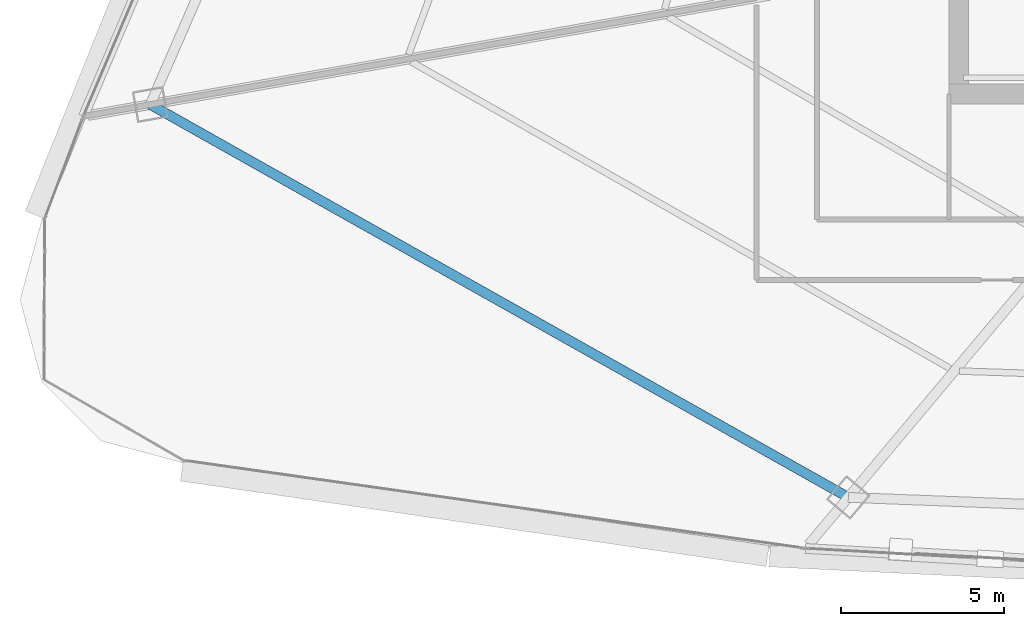
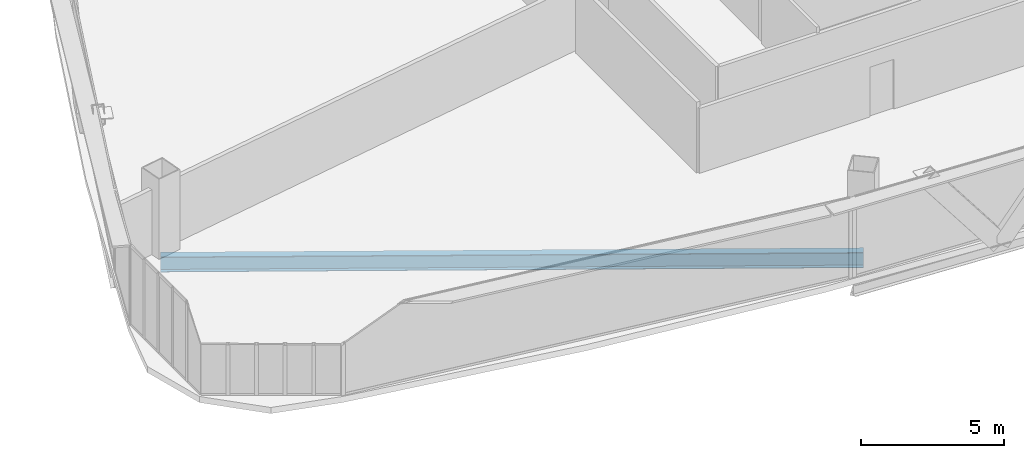
# One storey, part 5 of 42: 1 beam.
"""IFC4 building model written with IfcOpenShell, lengths in metres."""

from ifc_helpers import new_model, si_unit, direction, frame, origin, origin_2d, place, context, subcontext, project, spatial, i_section, extrude, source, transform, mapped, material, material_profile, profile_set, type_object, element, save


model = new_model("IFC4")

# Units and contexts
model_context = context("Model", 3, precision=1e-05, world=origin(), true_north=direction((0.0, 1.0)))
body_context = subcontext(model_context, "Body", "Model", "MODEL_VIEW")
ifc_project = project(units=[si_unit("LENGTHUNIT", "METRE"), si_unit("AREAUNIT", "SQUARE_METRE"), si_unit("VOLUMEUNIT", "CUBIC_METRE"), si_unit("PLANEANGLEUNIT", "RADIAN"), si_unit("MASSUNIT", "GRAM", prefix="KILO"), si_unit("THERMODYNAMICTEMPERATUREUNIT", "KELVIN"), si_unit("POWERUNIT", "WATT")], contexts=[model_context])

# Site, building, storey
site_placement = place(None, origin())
site = spatial("IfcSite", under=ifc_project, at=site_placement, CompositionType="ELEMENT")
building_placement = place(site_placement, origin())
building = spatial("IfcBuilding", under=site, at=building_placement, Name="Yunzhuo Pagoda Commons", CompositionType="ELEMENT")
storey_placement = place(building_placement, frame((0.0, 0.0, 137.18994140625)))
storey = spatial("IfcBuildingStorey", under=building, at=storey_placement, Name="L34", CompositionType="ELEMENT", Elevation=137.18994140625)

# Beam
ifc_material = material(Name="Structural steel Q355B", Category="steel")
ifc_material_profile = material_profile(ifc_material, i_section(OverallWidth=0.300048828125, OverallDepth=0.64990234375, WebThickness=0.012939453125, FlangeThickness=0.02197265625, at=origin_2d()), Name="Structural steel Q355B")
ifc_profile_set = profile_set([ifc_material_profile], Name="Structural steel Q355B")
beam_type = type_object("IfcBeamType", Name="B-RG2 Beam HN 650x300x13x22", PredefinedType="BEAM", material=ifc_profile_set)
shared_shape = source(origin(), body_context, "Body", "SweptSolid", [
    extrude(i_section(OverallWidth=0.300048828125, OverallDepth=0.64990234375, WebThickness=0.012939453125, FlangeThickness=0.02197265625, at=origin_2d()), origin(), (0.0, 0.0, 1.0), 24.56982421875),
])
beam_placement = place(storey_placement, frame((11.0029296875, 27.176513671875, -0.584716796875), z_axis=(0.871469103633, -0.490450406681, 0.0), x_axis=(0.490450406681, 0.871469103633, 0.0)))
element("IfcBeam", 1, at=beam_placement, inside=storey, type_object=beam_type, Name="L34 column-ring beam 12", PredefinedType="BEAM", context=body_context, shape_type="MappedRepresentation", body=[
    mapped(shared_shape, transform((0.0, 0.0, 0.0), scale=1.0)),
])

save(model, "model.ifc")
